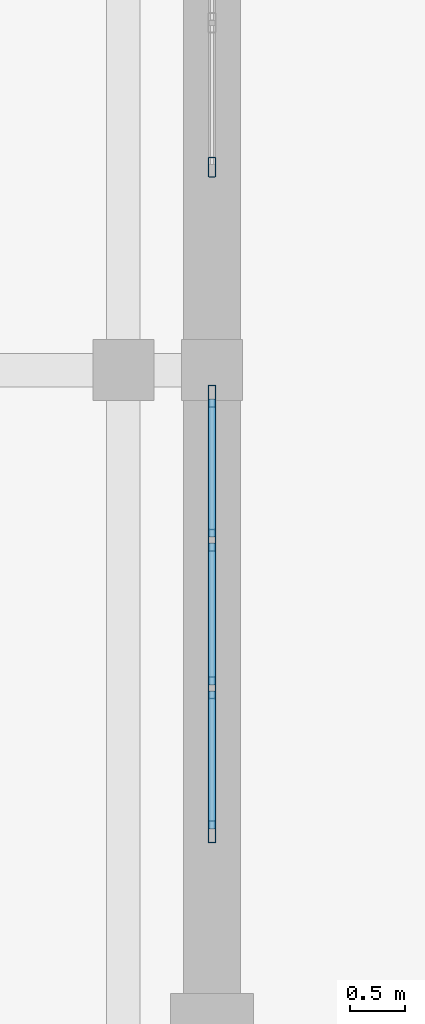
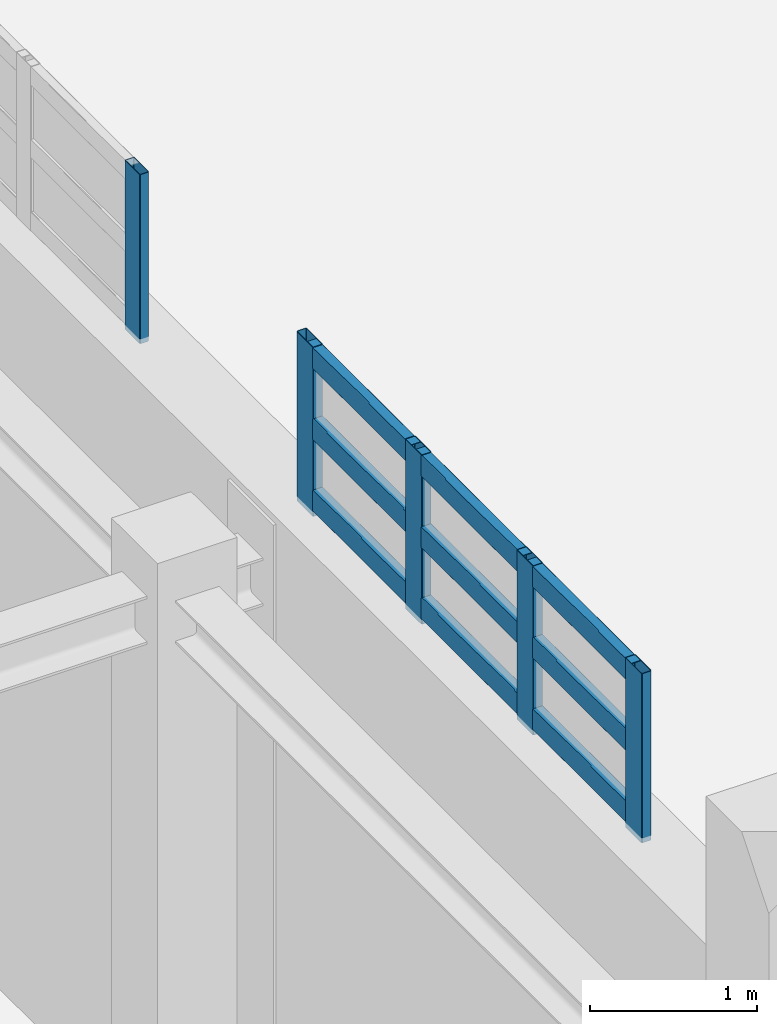
# One storey, part 104 of 197: 14 members, 2 elements without a shape of their own.
"""IFC4 building model written with IfcOpenShell, lengths in metres."""

from ifc_helpers import new_model, si_unit, derived_unit, direction, frame, origin, origin_2d, place, context, subcontext, project, spatial, hollow_rectangle, extrude, material, layer, layer_set, material_profile, profile_set, type_object, element, aggregate, save


model = new_model("IFC4")

# Units and contexts
model_context = context("Model", 3, precision=1e-05, world=origin(), true_north=direction((0.0, 1.0)))
body_context = subcontext(model_context, "Body", "Model", "MODEL_VIEW")
ifc_project = project(units=[si_unit("LENGTHUNIT", "METRE"), si_unit("AREAUNIT", "SQUARE_METRE"), si_unit("VOLUMEUNIT", "CUBIC_METRE"), si_unit("PLANEANGLEUNIT", "RADIAN"), si_unit("MASSUNIT", "GRAM", prefix="KILO"), derived_unit("THERMALTRANSMITTANCEUNIT", [(si_unit("POWERUNIT", "WATT"), 1), (si_unit("LENGTHUNIT", "METRE"), -2), (si_unit("THERMODYNAMICTEMPERATUREUNIT", "KELVIN"), -1)])], contexts=[model_context])

# Site, building, storey
site_placement = place(None, origin())
site = spatial("IfcSite", under=ifc_project, at=site_placement, CompositionType="ELEMENT")
building_placement = place(site_placement, origin())
building = spatial("IfcBuilding", under=site, at=building_placement, Name="Almenara Railside Exhibition Hall", CompositionType="ELEMENT")
storey_placement = place(building_placement, frame((0.0, 0.0, 5.39990234375)))
storey = spatial("IfcBuildingStorey", under=building, at=storey_placement, Name="L01", CompositionType="ELEMENT", Elevation=5.39990234375)

# Curtain wall, member
ifc_material_1 = material(Name="Bronze-anodised aluminium and low-E double glazing", Category="aluminium")
ifc_layer = layer(ifc_material_1, 0.179931640625, Name="Bronze-anodised aluminium and low-E double glazing")
ifc_layer_set = layer_set([ifc_layer], Name="Bronze-anodised aluminium and low-E double glazing")
curtain_wall_type = type_object("IfcCurtainWallType", Name="East Hall Clerestory Curtain Wall 4000x2100", PredefinedType="NOTDEFINED", material=ifc_layer_set)
curtain_wall_1_placement = place(storey_placement, origin())
curtain_wall_1 = element("IfcCurtainWall", 1, at=curtain_wall_1_placement, inside=storey, type_object=curtain_wall_type, Name="Curtain wall CW-CL4-056", PredefinedType="NOTDEFINED")
ifc_material_2 = material(Name="Bronze-anodised aluminium", Category="aluminium")
ifc_material_profile_1 = material_profile(ifc_material_2, hollow_rectangle(XDim=0.06494140625, YDim=0.179931640625, WallThickness=0.00390625, InnerFilletRadius=0.00390625, OuterFilletRadius=0.008056640625, at=origin_2d()), Name="ALU-MUL 65x180x4")
ifc_profile_set_1 = profile_set([ifc_material_profile_1], Name="Bronze-anodised aluminium")
member_type_1 = type_object("IfcMemberType", Name="Curtain Wall Mullion 65x180x4", PredefinedType="MULLION", material=ifc_profile_set_1)
member_1_placement = place(storey_placement, frame((138.0, 55.83251953125, 5.4150390625), z_axis=(0.0, 0.0, 1.0), x_axis=(-1.0, 0.0, 0.0)))
member_1 = element("IfcMember", 2, at=member_1_placement, type_object=member_type_1, Name="CW-CL4-056 mullion 1", PredefinedType="MULLION", context=body_context, shape_type="SweptSolid", body=[
    extrude(hollow_rectangle(XDim=0.06494140625, YDim=0.179931640625, WallThickness=0.00390625, InnerFilletRadius=0.00390625, OuterFilletRadius=0.008056640625, at=origin_2d()), origin(), (0.0, 0.0, 1.0), 1.235107421875),
])
aggregate(curtain_wall_1, [member_1])

# Curtain wall, members
curtain_wall_2_placement = place(storey_placement, origin())
curtain_wall_2 = element("IfcCurtainWall", 3, at=curtain_wall_2_placement, inside=storey, type_object=curtain_wall_type, Name="Curtain wall CW-CL4-055", PredefinedType="NOTDEFINED")
ifc_material_profile_2 = material_profile(ifc_material_2, hollow_rectangle(XDim=0.070068359375, YDim=0.199951171875, WallThickness=0.00439453125, InnerFilletRadius=0.00439453125, OuterFilletRadius=0.009033203125, at=origin_2d()), Name="ALU-MUL 70x200x4.5")
ifc_profile_set_2 = profile_set([ifc_material_profile_2], Name="Bronze-anodised aluminium")
member_type_2 = type_object("IfcMemberType", Name="Curtain Wall Mullion 70x200x4.5", PredefinedType="MULLION", material=ifc_profile_set_2)
member_2_placement = place(storey_placement, frame((138.0, 49.8349609375, 5.4150390625), z_axis=(0.0, 0.0, 1.0), x_axis=(-1.0, 0.0, 0.0)))
member_2 = element("IfcMember", 4, at=member_2_placement, type_object=member_type_2, Name="CW-CL4-055 mullion 1", PredefinedType="MULLION", context=body_context, shape_type="SweptSolid", body=[
    extrude(hollow_rectangle(XDim=0.070068359375, YDim=0.199951171875, WallThickness=0.00439453125, InnerFilletRadius=0.00439453125, OuterFilletRadius=0.009033203125, at=origin_2d()), origin(), (0.0, 0.0, 1.0), 1.235107421875),
])
member_3_placement = place(storey_placement, frame((138.0, 51.13330078125, 5.4150390625), z_axis=(0.0, 0.0, 1.0), x_axis=(-1.0, 0.0, 0.0)))
member_3 = element("IfcMember", 5, at=member_3_placement, type_object=member_type_2, Name="CW-CL4-055 mullion 2", PredefinedType="MULLION", context=body_context, shape_type="SweptSolid", body=[
    extrude(hollow_rectangle(XDim=0.070068359375, YDim=0.199951171875, WallThickness=0.00439453125, InnerFilletRadius=0.00439453125, OuterFilletRadius=0.009033203125, at=origin_2d()), origin(), (0.0, 0.0, 1.0), 1.235107421875),
])
member_4_placement = place(storey_placement, frame((138.0, 52.466552734375, 5.4150390625), z_axis=(0.0, 0.0, 1.0), x_axis=(-1.0, 0.0, 0.0)))
member_4 = element("IfcMember", 6, at=member_4_placement, type_object=member_type_2, Name="CW-CL4-055 mullion 3", PredefinedType="MULLION", context=body_context, shape_type="SweptSolid", body=[
    extrude(hollow_rectangle(XDim=0.070068359375, YDim=0.199951171875, WallThickness=0.00439453125, InnerFilletRadius=0.00439453125, OuterFilletRadius=0.009033203125, at=origin_2d()), origin(), (0.0, 0.0, 1.0), 1.235107421875),
])
member_5_placement = place(storey_placement, frame((138.0, 53.764892578125, 5.4150390625), z_axis=(0.0, 0.0, 1.0), x_axis=(-1.0, 0.0, 0.0)))
member_5 = element("IfcMember", 7, at=member_5_placement, type_object=member_type_2, Name="CW-CL4-055 mullion 4", PredefinedType="MULLION", context=body_context, shape_type="SweptSolid", body=[
    extrude(hollow_rectangle(XDim=0.070068359375, YDim=0.199951171875, WallThickness=0.00439453125, InnerFilletRadius=0.00439453125, OuterFilletRadius=0.009033203125, at=origin_2d()), origin(), (0.0, 0.0, 1.0), 1.235107421875),
])
ifc_material_profile_3 = material_profile(ifc_material_2, hollow_rectangle(XDim=0.070068359375, YDim=0.159912109375, WallThickness=0.00390625, InnerFilletRadius=0.00390625, OuterFilletRadius=0.008056640625, at=origin_2d()), Name="ALU-TRN 70x160x4")
ifc_profile_set_3 = profile_set([ifc_material_profile_3], Name="Bronze-anodised aluminium")
member_type_3 = type_object("IfcMemberType", Name="Curtain Wall Transom 70x160x4", PredefinedType="USERDEFINED", material=ifc_profile_set_3)
member_6_placement = place(storey_placement, frame((138.0, 49.862060546875, 5.530029296875), z_axis=(0.0, 1.0, 0.0), x_axis=(-1.0, 0.0, 0.0)))
member_6 = element("IfcMember", 8, at=member_6_placement, type_object=member_type_3, Name="CW-CL4-055 transom 1.1", ObjectType="TRANSOM", PredefinedType="USERDEFINED", context=body_context, shape_type="SweptSolid", body=[
    extrude(hollow_rectangle(XDim=0.070068359375, YDim=0.159912109375, WallThickness=0.00390625, InnerFilletRadius=0.00390625, OuterFilletRadius=0.008056640625, at=origin_2d()), origin(), (0.0, 0.0, 1.0), 1.244384765625),
])
member_7_placement = place(storey_placement, frame((138.0, 49.862060546875, 6.050048828125), z_axis=(0.0, 1.0, 0.0), x_axis=(-1.0, 0.0, 0.0)))
member_7 = element("IfcMember", 9, at=member_7_placement, type_object=member_type_3, Name="CW-CL4-055 transom 1.2", ObjectType="TRANSOM", PredefinedType="USERDEFINED", context=body_context, shape_type="SweptSolid", body=[
    extrude(hollow_rectangle(XDim=0.070068359375, YDim=0.159912109375, WallThickness=0.00390625, InnerFilletRadius=0.00390625, OuterFilletRadius=0.008056640625, at=origin_2d()), origin(), (0.0, 0.0, 1.0), 1.244384765625),
])
member_8_placement = place(storey_placement, frame((138.0, 49.862060546875, 6.570068359375), z_axis=(0.0, 1.0, 0.0), x_axis=(-1.0, 0.0, 0.0)))
member_8 = element("IfcMember", 10, at=member_8_placement, type_object=member_type_3, Name="CW-CL4-055 transom 1.3", ObjectType="TRANSOM", PredefinedType="USERDEFINED", context=body_context, shape_type="SweptSolid", body=[
    extrude(hollow_rectangle(XDim=0.070068359375, YDim=0.159912109375, WallThickness=0.00390625, InnerFilletRadius=0.00390625, OuterFilletRadius=0.008056640625, at=origin_2d()), origin(), (0.0, 0.0, 1.0), 1.244384765625),
])
member_9_placement = place(storey_placement, frame((138.0, 51.160400390625, 5.530029296875), z_axis=(0.0, 1.0, 0.0), x_axis=(-1.0, 0.0, 0.0)))
member_9 = element("IfcMember", 11, at=member_9_placement, type_object=member_type_3, Name="CW-CL4-055 transom 2.1", ObjectType="TRANSOM", PredefinedType="USERDEFINED", context=body_context, shape_type="SweptSolid", body=[
    extrude(hollow_rectangle(XDim=0.070068359375, YDim=0.159912109375, WallThickness=0.00390625, InnerFilletRadius=0.00390625, OuterFilletRadius=0.008056640625, at=origin_2d()), origin(), (0.0, 0.0, 1.0), 1.279296875),
])
member_10_placement = place(storey_placement, frame((138.0, 51.160400390625, 6.050048828125), z_axis=(0.0, 1.0, 0.0), x_axis=(-1.0, 0.0, 0.0)))
member_10 = element("IfcMember", 12, at=member_10_placement, type_object=member_type_3, Name="CW-CL4-055 transom 2.2", ObjectType="TRANSOM", PredefinedType="USERDEFINED", context=body_context, shape_type="SweptSolid", body=[
    extrude(hollow_rectangle(XDim=0.070068359375, YDim=0.159912109375, WallThickness=0.00390625, InnerFilletRadius=0.00390625, OuterFilletRadius=0.008056640625, at=origin_2d()), origin(), (0.0, 0.0, 1.0), 1.279296875),
])
member_11_placement = place(storey_placement, frame((138.0, 51.160400390625, 6.570068359375), z_axis=(0.0, 1.0, 0.0), x_axis=(-1.0, 0.0, 0.0)))
member_11 = element("IfcMember", 13, at=member_11_placement, type_object=member_type_3, Name="CW-CL4-055 transom 2.3", ObjectType="TRANSOM", PredefinedType="USERDEFINED", context=body_context, shape_type="SweptSolid", body=[
    extrude(hollow_rectangle(XDim=0.070068359375, YDim=0.159912109375, WallThickness=0.00390625, InnerFilletRadius=0.00390625, OuterFilletRadius=0.008056640625, at=origin_2d()), origin(), (0.0, 0.0, 1.0), 1.279296875),
])
member_12_placement = place(storey_placement, frame((138.0, 52.49365234375, 5.530029296875), z_axis=(0.0, 1.0, 0.0), x_axis=(-1.0, 0.0, 0.0)))
member_12 = element("IfcMember", 14, at=member_12_placement, type_object=member_type_3, Name="CW-CL4-055 transom 3.1", ObjectType="TRANSOM", PredefinedType="USERDEFINED", context=body_context, shape_type="SweptSolid", body=[
    extrude(hollow_rectangle(XDim=0.070068359375, YDim=0.159912109375, WallThickness=0.00390625, InnerFilletRadius=0.00390625, OuterFilletRadius=0.008056640625, at=origin_2d()), origin(), (0.0, 0.0, 1.0), 1.244384765625),
])
member_13_placement = place(storey_placement, frame((138.0, 52.49365234375, 6.050048828125), z_axis=(0.0, 1.0, 0.0), x_axis=(-1.0, 0.0, 0.0)))
member_13 = element("IfcMember", 15, at=member_13_placement, type_object=member_type_3, Name="CW-CL4-055 transom 3.2", ObjectType="TRANSOM", PredefinedType="USERDEFINED", context=body_context, shape_type="SweptSolid", body=[
    extrude(hollow_rectangle(XDim=0.070068359375, YDim=0.159912109375, WallThickness=0.00390625, InnerFilletRadius=0.00390625, OuterFilletRadius=0.008056640625, at=origin_2d()), origin(), (0.0, 0.0, 1.0), 1.244384765625),
])
member_14_placement = place(storey_placement, frame((138.0, 52.49365234375, 6.570068359375), z_axis=(0.0, 1.0, 0.0), x_axis=(-1.0, 0.0, 0.0)))
member_14 = element("IfcMember", 16, at=member_14_placement, type_object=member_type_3, Name="CW-CL4-055 transom 3.3", ObjectType="TRANSOM", PredefinedType="USERDEFINED", context=body_context, shape_type="SweptSolid", body=[
    extrude(hollow_rectangle(XDim=0.070068359375, YDim=0.159912109375, WallThickness=0.00390625, InnerFilletRadius=0.00390625, OuterFilletRadius=0.008056640625, at=origin_2d()), origin(), (0.0, 0.0, 1.0), 1.244384765625),
])
aggregate(curtain_wall_2, [member_2, member_3, member_4, member_5, member_6, member_7, member_8, member_9, member_10, member_11, member_12, member_13, member_14])

save(model, "model.ifc")
